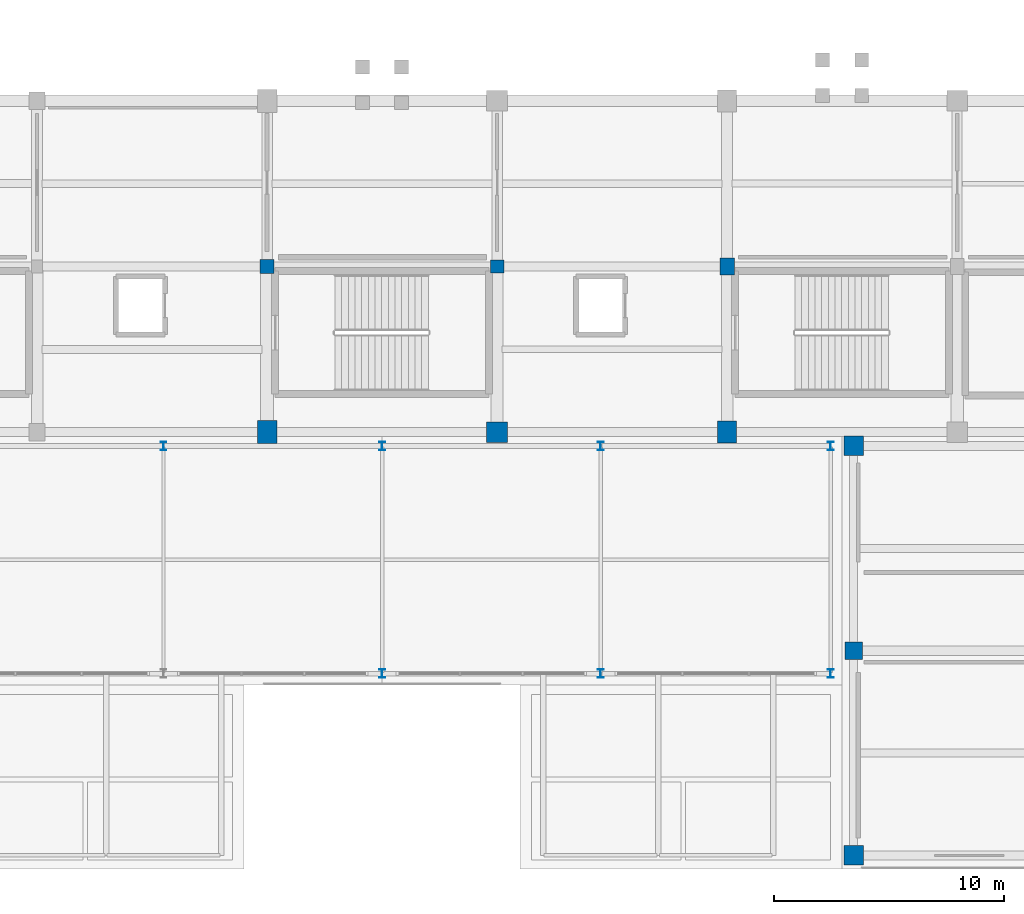
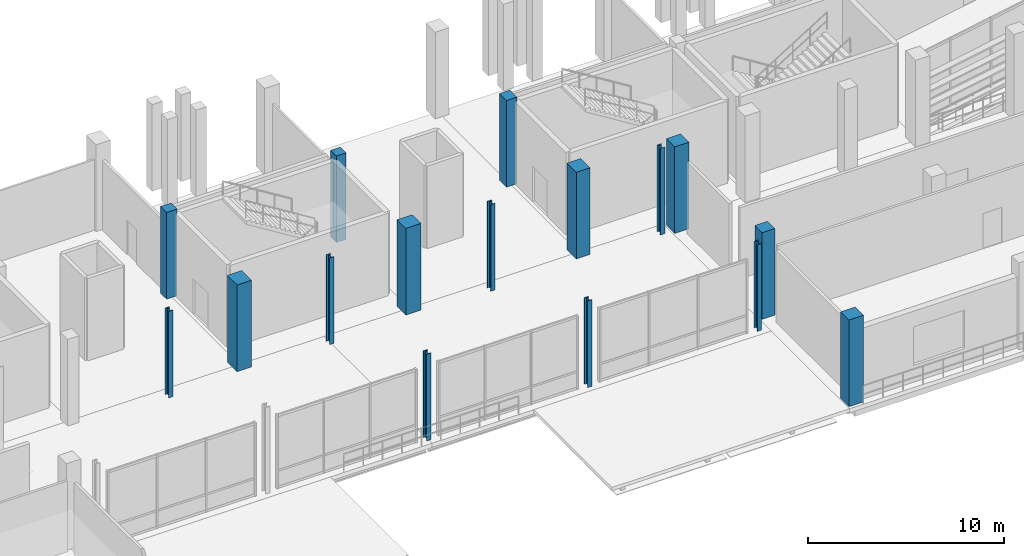
# One storey, part 3 of 114: 16 columns.
"""IFC4 building model written with IfcOpenShell, lengths in metres."""

from ifc_helpers import new_model, si_unit, direction, frame, origin, origin_2d, place, context, subcontext, project, spatial, rectangle, i_section, extrude, material, material_profile, profile_set, type_object, element, save


model = new_model("IFC4")

# Units and contexts
model_context = context("Model", 3, precision=1e-05, world=origin(), true_north=direction((0.0, 1.0)))
body_context = subcontext(model_context, "Body", "Model", "MODEL_VIEW")
ifc_project = project(units=[si_unit("LENGTHUNIT", "METRE"), si_unit("AREAUNIT", "SQUARE_METRE"), si_unit("VOLUMEUNIT", "CUBIC_METRE"), si_unit("PLANEANGLEUNIT", "RADIAN"), si_unit("MASSUNIT", "GRAM", prefix="KILO")], contexts=[model_context])

# Site, building, storey
site_placement = place(None, origin())
site = spatial("IfcSite", under=ifc_project, at=site_placement, CompositionType="ELEMENT")
building_placement = place(site_placement, origin())
building = spatial("IfcBuilding", under=site, at=building_placement, Name="Candeia Ridge Stadium", CompositionType="ELEMENT")
storey_placement = place(building_placement, frame((0.0, 0.0, 5.39990234375)))
storey = spatial("IfcBuildingStorey", under=building, at=storey_placement, Name="L01", CompositionType="ELEMENT", Elevation=5.39990234375)

# Columns
ifc_material_1 = material(Name="Concrete C45/55", Category="concrete")
ifc_material_profile_1 = material_profile(ifc_material_1, rectangle(XDim=0.89990234375, YDim=0.89990234375, at=origin_2d()), Name="RC900x900", Category="concrete")
ifc_profile_set_1 = profile_set([ifc_material_profile_1], Name="Concrete C45/55")
column_type_1 = type_object("IfcColumnType", Name="Bowl Spine Column RC900x900", PredefinedType="COLUMN", material=ifc_profile_set_1)
column_1_placement = place(storey_placement, frame((111.0, 19.0, 0.0), z_axis=(0.0, 0.0, 1.0), x_axis=(1.0, 0.0, 0.0)))
element("IfcColumn", 1, at=column_1_placement, inside=storey, type_object=column_type_1, Name="Structural column BC-OU-22 L01", PredefinedType="COLUMN", context=body_context, shape_type="SweptSolid", body=[
    extrude(rectangle(XDim=0.89990234375, YDim=0.89990234375, at=origin_2d()), origin(), (0.0, 0.0, 1.0), 5.400146484375),
])
ifc_material_2 = material(Name="Steel ASTM A572 Grade 50", Category="steel")
ifc_material_profile_2 = material_profile(ifc_material_2, i_section(OverallWidth=0.257080078125, OverallDepth=0.363037109375, WebThickness=0.012939453125, FlangeThickness=0.021728515625, FilletRadius=0.014892578125, at=origin_2d()), Name="W360x122", Category="steel")
ifc_profile_set_2 = profile_set([ifc_material_profile_2], Name="Steel ASTM A572 Grade 50")
column_type_2 = type_object("IfcColumnType", Name="Gate Steel Column W360x122", PredefinedType="COLUMN", material=ifc_profile_set_2)
for number, where, z_axis, x_axis, name in (
    (2, (96.5, 18.39990234375, 0.0), (0.0, 0.0, 1.0), (1.0, 0.0, 0.0), "Structural column SG-01-01 L01"),
    (3, (106.0, 8.5, 0.0), (0.0, 0.0, 1.0), (1.0, 0.0, 0.0), "Structural column SG-02-00 L01"),
    (4, (106.0, 18.39990234375, 0.0), (0.0, 0.0, 1.0), (1.0, 0.0, 0.0), "Structural column SG-02-01 L01"),
    (5, (115.5, 8.5, 0.0), (0.0, 0.0, 1.0), (1.0, 0.0, 0.0), "Structural column SG-03-00 L01"),
    (6, (115.5, 18.39990234375, 0.0), (0.0, 0.0, 1.0), (1.0, 0.0, 0.0), "Structural column SG-03-01 L01"),
    (7, (125.5, 8.5, 0.0), (0.0, 0.0, 1.0), (1.0, 0.0, 0.0), "Structural column SG-04-00 L01"),
    (8, (125.5, 18.39990234375, 0.0), (0.0, 0.0, 1.0), (1.0, 0.0, 0.0), "Structural column SG-04-01 L01"),
):
    element("IfcColumn", number, at=place(storey_placement, frame(where, z_axis=z_axis, x_axis=x_axis)), inside=storey, type_object=column_type_2, Name=name, PredefinedType="COLUMN", context=body_context, shape_type="SweptSolid", body=[
        extrude(i_section(OverallWidth=0.257080078125, OverallDepth=0.363037109375, WebThickness=0.012939453125, FlangeThickness=0.021728515625, FilletRadius=0.014892578125, at=origin_2d()), origin(), (0.0, 0.0, 1.0), 5.400146484375),
    ])
ifc_material_3 = material(Name="Concrete C40/50", Category="concrete")
ifc_material_profile_3 = material_profile(ifc_material_3, rectangle(XDim=0.580078125, YDim=0.580078125, at=origin_2d()), Name="RC580x580", Category="concrete")
ifc_profile_set_3 = profile_set([ifc_material_profile_3], Name="Concrete C40/50")
column_type_3 = type_object("IfcColumnType", Name="Graduated Frame Column RC580x580", PredefinedType="COLUMN", material=ifc_profile_set_3)
column_2_placement = place(storey_placement, frame((111.0, 26.199951171875, 0.0), z_axis=(0.0, 0.0, 1.0), x_axis=(1.0, 0.0, 0.0)))
element("IfcColumn", 9, at=column_2_placement, inside=storey, type_object=column_type_3, Name="Structural column BC-M2-22 L01", PredefinedType="COLUMN", context=body_context, shape_type="SweptSolid", body=[
    extrude(rectangle(XDim=0.580078125, YDim=0.580078125, at=origin_2d()), origin(), (0.0, 0.0, 1.0), 5.400146484375),
])
ifc_material_profile_4 = material_profile(ifc_material_3, rectangle(XDim=0.6201171875, YDim=0.6201171875, at=origin_2d()), Name="RC620x620", Category="concrete")
ifc_profile_set_4 = profile_set([ifc_material_profile_4], Name="Concrete C40/50")
column_type_4 = type_object("IfcColumnType", Name="Graduated Frame Column RC620x620", PredefinedType="COLUMN", material=ifc_profile_set_4)
column_3_placement = place(storey_placement, frame((101.0, 26.199951171875, 0.0), z_axis=(0.0, 0.0, 1.0), x_axis=(1.0, 0.0, 0.0)))
element("IfcColumn", 10, at=column_3_placement, inside=storey, type_object=column_type_4, Name="Structural column BC-M2-21 L01", PredefinedType="COLUMN", context=body_context, shape_type="SweptSolid", body=[
    extrude(rectangle(XDim=0.6201171875, YDim=0.6201171875, at=origin_2d()), origin(), (0.0, 0.0, 1.0), 5.400146484375),
])
ifc_material_profile_5 = material_profile(ifc_material_3, rectangle(XDim=0.6201171875, YDim=0.719970703125, at=origin_2d()), Name="RC620x720", Category="concrete")
ifc_profile_set_5 = profile_set([ifc_material_profile_5], Name="Concrete C40/50")
column_type_5 = type_object("IfcColumnType", Name="Graduated Frame Column RC620x720", PredefinedType="COLUMN", material=ifc_profile_set_5)
column_4_placement = place(storey_placement, frame((121.0, 26.199951171875, 0.0), z_axis=(0.0, 0.0, 1.0), x_axis=(1.0, 0.0, 0.0)))
element("IfcColumn", 11, at=column_4_placement, inside=storey, type_object=column_type_5, Name="Structural column BC-M2-23 L01", PredefinedType="COLUMN", context=body_context, shape_type="SweptSolid", body=[
    extrude(rectangle(XDim=0.6201171875, YDim=0.719970703125, at=origin_2d()), origin(), (0.0, 0.0, 1.0), 5.400146484375),
])
ifc_material_profile_6 = material_profile(ifc_material_1, rectangle(XDim=0.820068359375, YDim=0.949951171875, at=origin_2d()), Name="RC820x950", Category="concrete")
ifc_profile_set_6 = profile_set([ifc_material_profile_6], Name="Concrete C45/55")
column_type_6 = type_object("IfcColumnType", Name="Graduated Frame Column RC820x950", PredefinedType="COLUMN", material=ifc_profile_set_6)
column_5_placement = place(storey_placement, frame((121.0, 19.0, 0.0), z_axis=(0.0, 0.0, 1.0), x_axis=(1.0, 0.0, 0.0)))
element("IfcColumn", 12, at=column_5_placement, inside=storey, type_object=column_type_6, Name="Structural column BC-OU-23 L01", PredefinedType="COLUMN", context=body_context, shape_type="SweptSolid", body=[
    extrude(rectangle(XDim=0.820068359375, YDim=0.949951171875, at=origin_2d()), origin(), (0.0, 0.0, 1.0), 5.400146484375),
])
ifc_material_profile_7 = material_profile(ifc_material_3, rectangle(XDim=0.75, YDim=0.75, at=origin_2d()), Name="RC750x750", Category="concrete")
ifc_profile_set_7 = profile_set([ifc_material_profile_7], Name="Concrete C40/50")
column_type_7 = type_object("IfcColumnType", Name="Reinforced Concrete Column RC750x750", PredefinedType="COLUMN", material=ifc_profile_set_7)
column_6_placement = place(storey_placement, frame((126.5, 9.5, 0.0), z_axis=(0.0, 0.0, 1.0), x_axis=(1.0, 0.0, 0.0)))
element("IfcColumn", 13, at=column_6_placement, inside=storey, type_object=column_type_7, Name="Structural column SWE-00-01 L01", PredefinedType="COLUMN", context=body_context, shape_type="SweptSolid", body=[
    extrude(rectangle(XDim=0.75, YDim=0.75, at=origin_2d()), origin(), (0.0, 0.0, 1.0), 5.400146484375),
])
ifc_material_profile_8 = material_profile(ifc_material_1, rectangle(XDim=0.85009765625, YDim=1.0, at=origin_2d()), Name="RC850x1000", Category="concrete")
ifc_profile_set_8 = profile_set([ifc_material_profile_8], Name="Concrete C45/55")
column_type_8 = type_object("IfcColumnType", Name="Reinforced Concrete Column RC850x1000", PredefinedType="COLUMN", material=ifc_profile_set_8)
column_7_placement = place(storey_placement, frame((101.0, 19.0, 0.0), z_axis=(0.0, 0.0, 1.0), x_axis=(1.0, 0.0, 0.0)))
element("IfcColumn", 14, at=column_7_placement, inside=storey, type_object=column_type_8, Name="Structural column BC-OU-21 L01", PredefinedType="COLUMN", context=body_context, shape_type="SweptSolid", body=[
    extrude(rectangle(XDim=0.85009765625, YDim=1.0, at=origin_2d()), origin(), (0.0, 0.0, 1.0), 5.400146484375),
])
ifc_material_profile_9 = material_profile(ifc_material_1, rectangle(XDim=0.85009765625, YDim=0.85009765625, at=origin_2d()), Name="RC850x850", Category="concrete")
ifc_profile_set_9 = profile_set([ifc_material_profile_9], Name="Concrete C45/55")
column_type_9 = type_object("IfcColumnType", Name="Reinforced Concrete Column RC850x850", PredefinedType="COLUMN", material=ifc_profile_set_9)
for number, where, z_axis, x_axis, name in (
    (15, (126.5, 0.60009765625, 0.0), (0.0, 0.0, 1.0), (1.0, 0.0, 0.0), "Structural column SWE-00-00 L01"),
    (16, (126.5, 18.39990234375, 0.0), (0.0, 0.0, 1.0), (1.0, 0.0, 0.0), "Structural column SWE-00-02 L01"),
):
    element("IfcColumn", number, at=place(storey_placement, frame(where, z_axis=z_axis, x_axis=x_axis)), inside=storey, type_object=column_type_9, Name=name, PredefinedType="COLUMN", context=body_context, shape_type="SweptSolid", body=[
        extrude(rectangle(XDim=0.85009765625, YDim=0.85009765625, at=origin_2d()), origin(), (0.0, 0.0, 1.0), 5.400146484375),
    ])

save(model, "model.ifc")
